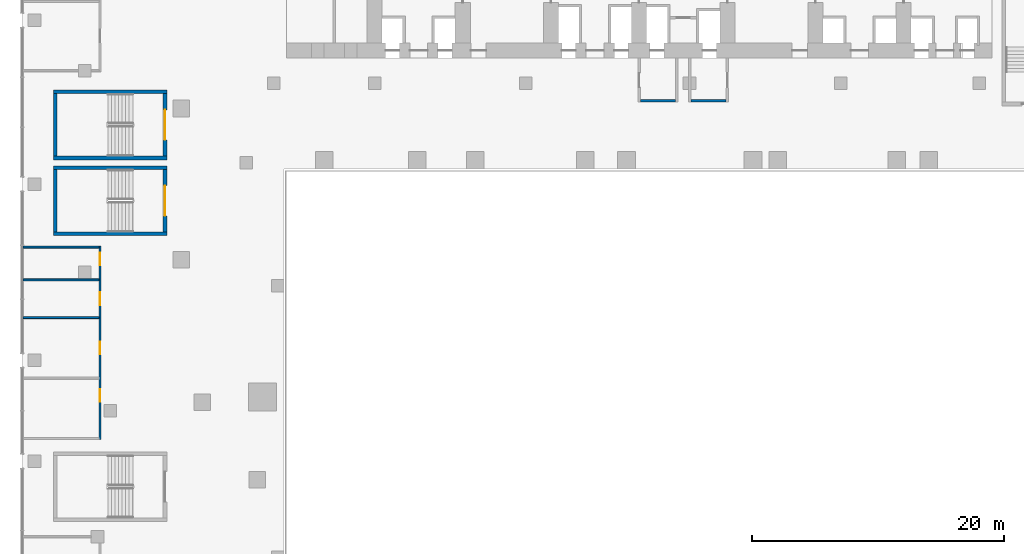
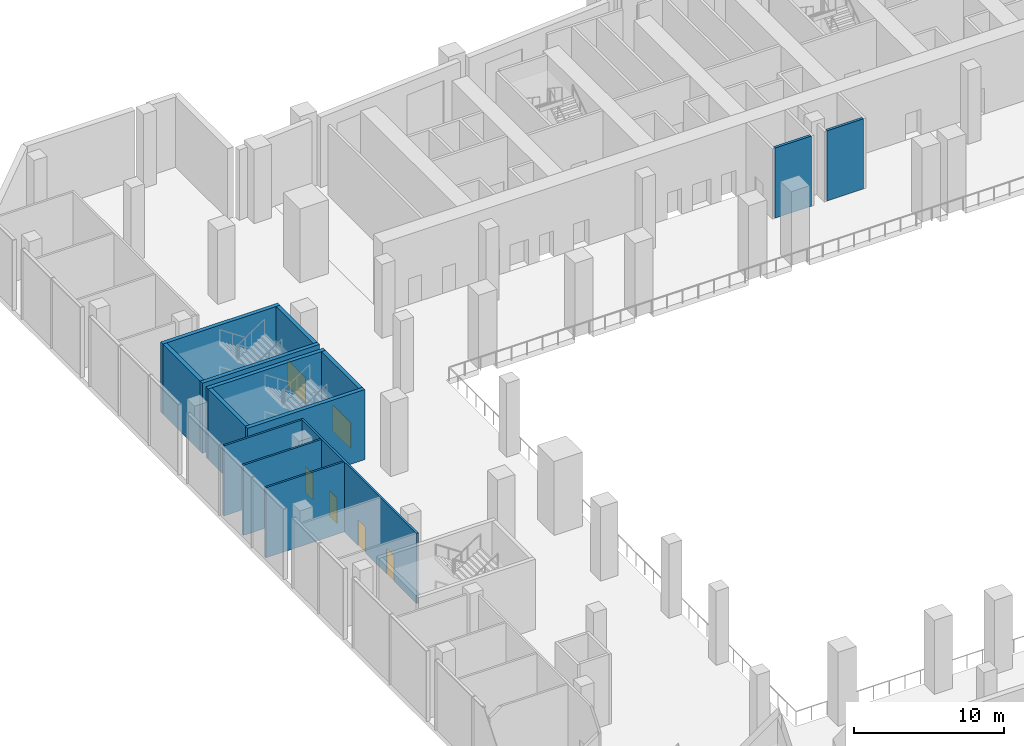
# One storey, part 12 of 30: 14 walls, 6 doors, 6 openings.
"""IFC4 building model written with IfcOpenShell, lengths in metres."""

from ifc_helpers import new_model, si_unit, direction, frame, frame_2d, origin, place, context, subcontext, project, spatial, rectangle, extrude, material, layer, layer_set, type_object, element, fill, save


model = new_model("IFC4")

# Units and contexts
model_context = context("Model", 3, precision=1e-05, world=origin(), true_north=direction((0.0, 1.0)))
body_context = subcontext(model_context, "Body", "Model", "MODEL_VIEW")
ifc_project = project(units=[si_unit("LENGTHUNIT", "METRE"), si_unit("AREAUNIT", "SQUARE_METRE"), si_unit("VOLUMEUNIT", "CUBIC_METRE"), si_unit("PLANEANGLEUNIT", "RADIAN"), si_unit("MASSUNIT", "GRAM", prefix="KILO")], contexts=[model_context])

# Site, building, storey
site_placement = place(None, origin())
site = spatial("IfcSite", under=ifc_project, at=site_placement, CompositionType="ELEMENT")
building_placement = place(site_placement, origin())
building = spatial("IfcBuilding", under=site, at=building_placement, Name="Wharfspan Tower", CompositionType="ELEMENT")
storey_placement = place(building_placement, frame((0.0, 0.0, 21.5)))
storey = spatial("IfcBuildingStorey", under=building, at=storey_placement, Name="L03", CompositionType="ELEMENT", Elevation=21.5)

# Walls
ifc_material_1 = material(Name="Concrete C30/37", Category="concrete")
ifc_layer_1 = layer(ifc_material_1, 0.199951)
ifc_layer_set_1 = layer_set([ifc_layer_1], Name="Concrete C30/37")
wall_type_1 = type_object("IfcWallType", Name="Lobby wall 200", PredefinedType="PARTITIONING", material=ifc_layer_set_1)
for number, where, z_axis, x_axis, name in (
    (1, (37.100098, 30.600098, 0.0), (0.0, 0.0, 1.0), (1.0, 0.0, 0.0), "sw:L03:FLFF1F"),
    (2, (41.100098, 30.600098, 0.0), (0.0, 0.0, 1.0), (1.0, 0.0, 0.0), "sw:L03:FLFF2F"),
):
    element("IfcWall", number, at=place(storey_placement, frame(where, z_axis=z_axis, x_axis=x_axis)), inside=storey, type_object=wall_type_1, Name=name, PredefinedType="PARTITIONING", context=body_context, shape_type="SweptSolid", body=[
        extrude(rectangle(XDim=2.799805, YDim=0.199951, at=frame_2d((1.399902, 0.0))), origin(), (0.0, 0.0, 1.0), 5.699951),
    ])

# Wall, openings, doors
ifc_material_2 = material(Name="Calcium silicate masonry", Category="masonry")
ifc_layer_2 = layer(ifc_material_2, 0.149902)
ifc_layer_set_2 = layer_set([ifc_layer_2], Name="Calcium silicate masonry")
wall_type_2 = type_object("IfcWallType", Name="Podium room wall 150", PredefinedType="PARTITIONING", material=ifc_layer_set_2)
wall_1_placement = place(storey_placement, frame((-5.800049, 3.725098, 0.0), z_axis=(0.0, 0.0, 1.0), x_axis=(0.0, 1.0, 0.0)))
wall_1 = element("IfcWall", 3, at=wall_1_placement, inside=storey, type_object=wall_type_2, Name="iw:L03:4", PredefinedType="PARTITIONING", context=body_context, shape_type="SweptSolid", body=[
    extrude(rectangle(XDim=15.349854, YDim=0.149902, at=frame_2d((7.674805, 0.0))), origin(), (0.0, 0.0, 1.0), 5.699951),
])
opening_1_placement = place(wall_1_placement, frame((2.995117, 0.0, 0.0)))
opening_1 = element("IfcOpeningElement", 4, at=opening_1_placement, cuts=wall_1, Name="Opening PD03.5", PredefinedType="OPENING", context=body_context, shape_type="SweptSolid", body=[
    extrude(rectangle(XDim=1.0, YDim=2.100098, at=frame_2d((0.5, 1.050049))), frame((0.0, 0.084961, 0.0), z_axis=(0.0, -1.0, 0.0), x_axis=(1.0, 0.0, 0.0)), (0.0, 0.0, 1.0), 0.169922),
])
opening_2_placement = place(wall_1_placement, frame((6.774902, 0.0, 0.0)))
opening_2 = element("IfcOpeningElement", 5, at=opening_2_placement, cuts=wall_1, Name="Opening PD03.6", PredefinedType="OPENING", context=body_context, shape_type="SweptSolid", body=[
    extrude(rectangle(XDim=1.0, YDim=2.100098, at=frame_2d((0.5, 1.050049))), frame((0.0, 0.084961, 0.0), z_axis=(0.0, -1.0, 0.0), x_axis=(1.0, 0.0, 0.0)), (0.0, 0.0, 1.0), 0.169922),
])
opening_3_placement = place(wall_1_placement, frame((10.675049, 0.0, 0.0)))
opening_3 = element("IfcOpeningElement", 6, at=opening_3_placement, cuts=wall_1, Name="Opening PD03.7", PredefinedType="OPENING", context=body_context, shape_type="SweptSolid", body=[
    extrude(rectangle(XDim=1.0, YDim=2.100098, at=frame_2d((0.5, 1.050049))), frame((0.0, 0.084961, 0.0), z_axis=(0.0, -1.0, 0.0), x_axis=(1.0, 0.0, 0.0)), (0.0, 0.0, 1.0), 0.169922),
])
opening_4_placement = place(wall_1_placement, frame((13.834961, 0.0, 0.0)))
opening_4 = element("IfcOpeningElement", 7, at=opening_4_placement, cuts=wall_1, Name="Opening PD03.8", PredefinedType="OPENING", context=body_context, shape_type="SweptSolid", body=[
    extrude(rectangle(XDim=1.0, YDim=2.100098, at=frame_2d((0.5, 1.050049))), frame((0.0, 0.084961, 0.0), z_axis=(0.0, -1.0, 0.0), x_axis=(1.0, 0.0, 0.0)), (0.0, 0.0, 1.0), 0.169922),
])
ifc_material_3 = material(Name="Steel door leaf", Category="steel")
door_type_1 = type_object("IfcDoorType", Name="Podium room door 1000x2100", OperationType="SINGLE_SWING_LEFT", PredefinedType="DOOR", material=ifc_material_3)
door_1_placement = place(opening_1_placement, origin())
door_1 = element("IfcDoor", 8, at=door_1_placement, inside=storey, type_object=door_type_1, Name="id:L03:5", OperationType="SINGLE_SWING_RIGHT", OverallHeight=2.100098, OverallWidth=1.0, PredefinedType="DOOR", context=body_context, shape_type="SweptSolid", body=[
    extrude(rectangle(XDim=1.0, YDim=2.100098, at=frame_2d((0.5, 1.050049))), frame((0.0, 0.024902, 0.0), z_axis=(0.0, -1.0, 0.0), x_axis=(1.0, 0.0, 0.0)), (0.0, 0.0, 1.0), 0.050049),
])
fill(opening_1, door_1)
door_2_placement = place(opening_2_placement, origin())
door_2 = element("IfcDoor", 9, at=door_2_placement, inside=storey, type_object=door_type_1, Name="id:L03:6", OperationType="SINGLE_SWING_LEFT", OverallHeight=2.100098, OverallWidth=1.0, PredefinedType="DOOR", context=body_context, shape_type="SweptSolid", body=[
    extrude(rectangle(XDim=1.0, YDim=2.100098, at=frame_2d((0.5, 1.050049))), frame((0.0, 0.024902, 0.0), z_axis=(0.0, -1.0, 0.0), x_axis=(1.0, 0.0, 0.0)), (0.0, 0.0, 1.0), 0.050049),
])
fill(opening_2, door_2)
door_3_placement = place(opening_3_placement, origin())
door_3 = element("IfcDoor", 10, at=door_3_placement, inside=storey, type_object=door_type_1, Name="id:L03:7", OperationType="SINGLE_SWING_RIGHT", OverallHeight=2.100098, OverallWidth=1.0, PredefinedType="DOOR", context=body_context, shape_type="SweptSolid", body=[
    extrude(rectangle(XDim=1.0, YDim=2.100098, at=frame_2d((0.5, 1.050049))), frame((0.0, 0.024902, 0.0), z_axis=(0.0, -1.0, 0.0), x_axis=(1.0, 0.0, 0.0)), (0.0, 0.0, 1.0), 0.050049),
])
fill(opening_3, door_3)
door_4_placement = place(opening_4_placement, origin())
door_4 = element("IfcDoor", 11, at=door_4_placement, inside=storey, type_object=door_type_1, Name="id:L03:8", OperationType="SINGLE_SWING_LEFT", OverallHeight=2.100098, OverallWidth=1.0, PredefinedType="DOOR", context=body_context, shape_type="SweptSolid", body=[
    extrude(rectangle(XDim=1.0, YDim=2.100098, at=frame_2d((0.5, 1.050049))), frame((0.0, 0.024902, 0.0), z_axis=(0.0, -1.0, 0.0), x_axis=(1.0, 0.0, 0.0)), (0.0, 0.0, 1.0), 0.050049),
])
fill(opening_4, door_4)

# Walls
for number, where, z_axis, x_axis, name in (
    (12, (-11.89502, 13.399902, 0.0), (0.0, 0.0, 1.0), (1.0, 0.0, 0.0), "iw:L03:16"),
    (13, (-11.89502, 16.399902, 0.0), (0.0, 0.0, 1.0), (1.0, 0.0, 0.0), "iw:L03:17"),
    (14, (-11.89502, 19.0, 0.0), (0.0, 0.0, 1.0), (1.0, 0.0, 0.0), "iw:L03:18"),
):
    element("IfcWall", number, at=place(storey_placement, frame(where, z_axis=z_axis, x_axis=x_axis)), inside=storey, type_object=wall_type_2, Name=name, PredefinedType="PARTITIONING", context=body_context, shape_type="SweptSolid", body=[
        extrude(rectangle(XDim=6.02002, YDim=0.149902, at=frame_2d((3.01001, 0.0))), origin(), (0.0, 0.0, 1.0), 5.699951),
    ])
ifc_material_4 = material(Name="Concrete C40/50", Category="concrete")
ifc_layer_3 = layer(ifc_material_4, 0.300049)
ifc_layer_set_3 = layer_set([ifc_layer_3], Name="Concrete C40/50")
wall_type_3 = type_object("IfcWallType", Name="Podium stair core wall 300", PredefinedType="SHEAR", material=ifc_layer_set_3)
for number, where, z_axis, x_axis, name in (
    (15, (-9.5, 20.050049, 0.0), (0.0, 0.0, 1.0), (1.0, 0.0, 0.0), "iw:L03:AS3S"),
    (16, (-9.5, 25.300049, 0.0), (0.0, 0.0, 1.0), (1.0, 0.0, 0.0), "iw:L03:AS3N"),
):
    element("IfcWall", number, at=place(storey_placement, frame(where, z_axis=z_axis, x_axis=x_axis)), inside=storey, type_object=wall_type_3, Name=name, PredefinedType="SHEAR", context=body_context, shape_type="SweptSolid", body=[
        extrude(rectangle(XDim=9.0, YDim=0.300049, at=frame_2d((4.5, 0.0))), origin(), (0.0, 0.0, 1.0), 5.699951),
    ])
wall_2_placement = place(storey_placement, frame((-9.350098, 20.199951, 0.0), z_axis=(0.0, 0.0, 1.0), x_axis=(0.0, 1.0, 0.0)))
element("IfcWall", 17, at=wall_2_placement, inside=storey, type_object=wall_type_3, Name="iw:L03:AS3W", PredefinedType="SHEAR", context=body_context, shape_type="SweptSolid", body=[
    extrude(rectangle(XDim=4.949951, YDim=0.300049, at=frame_2d((2.475098, 0.0))), origin(), (0.0, 0.0, 1.0), 5.699951),
])

# Wall, opening, door
wall_3_placement = place(storey_placement, frame((-0.649902, 20.199951, 0.0), z_axis=(0.0, 0.0, 1.0), x_axis=(0.0, 1.0, 0.0)))
wall_3 = element("IfcWall", 18, at=wall_3_placement, inside=storey, type_object=wall_type_3, Name="iw:L03:AS3E", PredefinedType="SHEAR", context=body_context, shape_type="SweptSolid", body=[
    extrude(rectangle(XDim=4.949951, YDim=0.300049, at=frame_2d((2.475098, 0.0))), origin(), (0.0, 0.0, 1.0), 5.699951),
])
opening_5_placement = place(wall_3_placement, frame((1.274902, 0.0, 0.0)))
opening_5 = element("IfcOpeningElement", 19, at=opening_5_placement, cuts=wall_3, Name="Opening SDAS3.L03", PredefinedType="OPENING", context=body_context, shape_type="SweptSolid", body=[
    extrude(rectangle(XDim=2.399902, YDim=2.100098, at=frame_2d((1.199951, 1.050049))), frame((0.0, 0.159912, 0.0), z_axis=(0.0, -1.0, 0.0), x_axis=(1.0, 0.0, 0.0)), (0.0, 0.0, 1.0), 0.320068),
])
door_type_2 = type_object("IfcDoorType", Name="Podium stair door 2400x2100", OperationType="DOUBLE_DOOR_SINGLE_SWING", PredefinedType="DOOR", material=ifc_material_3)
door_5_placement = place(opening_5_placement, origin())
door_5 = element("IfcDoor", 20, at=door_5_placement, inside=storey, type_object=door_type_2, Name="id:L03:AS3", OperationType="DOUBLE_DOOR_SINGLE_SWING", OverallHeight=2.100098, OverallWidth=2.399902, PredefinedType="DOOR", context=body_context, shape_type="SweptSolid", body=[
    extrude(rectangle(XDim=2.399902, YDim=2.100098, at=frame_2d((1.199951, 1.050049))), frame((0.0, 0.024902, 0.0), z_axis=(0.0, -1.0, 0.0), x_axis=(1.0, 0.0, 0.0)), (0.0, 0.0, 1.0), 0.050049),
])
fill(opening_5, door_5)

# Walls
for number, where, z_axis, x_axis, name in (
    (21, (-9.5, 26.074951, 0.0), (0.0, 0.0, 1.0), (1.0, 0.0, 0.0), "iw:L03:PS3S"),
    (22, (-9.5, 31.324951, 0.0), (0.0, 0.0, 1.0), (1.0, 0.0, 0.0), "iw:L03:PS3N"),
):
    element("IfcWall", number, at=place(storey_placement, frame(where, z_axis=z_axis, x_axis=x_axis)), inside=storey, type_object=wall_type_3, Name=name, PredefinedType="SHEAR", context=body_context, shape_type="SweptSolid", body=[
        extrude(rectangle(XDim=9.0, YDim=0.300049, at=frame_2d((4.5, 0.0))), origin(), (0.0, 0.0, 1.0), 5.699951),
    ])
wall_4_placement = place(storey_placement, frame((-9.350098, 26.225098, 0.0), z_axis=(0.0, 0.0, 1.0), x_axis=(0.0, 1.0, 0.0)))
element("IfcWall", 23, at=wall_4_placement, inside=storey, type_object=wall_type_3, Name="iw:L03:PS3W", PredefinedType="SHEAR", context=body_context, shape_type="SweptSolid", body=[
    extrude(rectangle(XDim=4.949951, YDim=0.300049, at=frame_2d((2.475098, 0.0))), origin(), (0.0, 0.0, 1.0), 5.699951),
])

# Wall, opening, door
wall_5_placement = place(storey_placement, frame((-0.649902, 26.225098, 0.0), z_axis=(0.0, 0.0, 1.0), x_axis=(0.0, 1.0, 0.0)))
wall_5 = element("IfcWall", 24, at=wall_5_placement, inside=storey, type_object=wall_type_3, Name="iw:L03:PS3E", PredefinedType="SHEAR", context=body_context, shape_type="SweptSolid", body=[
    extrude(rectangle(XDim=4.949951, YDim=0.300049, at=frame_2d((2.475098, 0.0))), origin(), (0.0, 0.0, 1.0), 5.699951),
])
opening_6_placement = place(wall_5_placement, frame((1.274902, 0.0, 0.0)))
opening_6 = element("IfcOpeningElement", 25, at=opening_6_placement, cuts=wall_5, Name="Opening SDPS3.L03", PredefinedType="OPENING", context=body_context, shape_type="SweptSolid", body=[
    extrude(rectangle(XDim=2.399902, YDim=2.100098, at=frame_2d((1.199951, 1.050049))), frame((0.0, 0.159912, 0.0), z_axis=(0.0, -1.0, 0.0), x_axis=(1.0, 0.0, 0.0)), (0.0, 0.0, 1.0), 0.320068),
])
door_6_placement = place(opening_6_placement, origin())
door_6 = element("IfcDoor", 26, at=door_6_placement, inside=storey, type_object=door_type_2, Name="id:L03:PS3", OperationType="DOUBLE_DOOR_SINGLE_SWING", OverallHeight=2.100098, OverallWidth=2.399902, PredefinedType="DOOR", context=body_context, shape_type="SweptSolid", body=[
    extrude(rectangle(XDim=2.399902, YDim=2.100098, at=frame_2d((1.199951, 1.050049))), frame((0.0, 0.024902, 0.0), z_axis=(0.0, -1.0, 0.0), x_axis=(1.0, 0.0, 0.0)), (0.0, 0.0, 1.0), 0.050049),
])
fill(opening_6, door_6)

save(model, "model.ifc")
